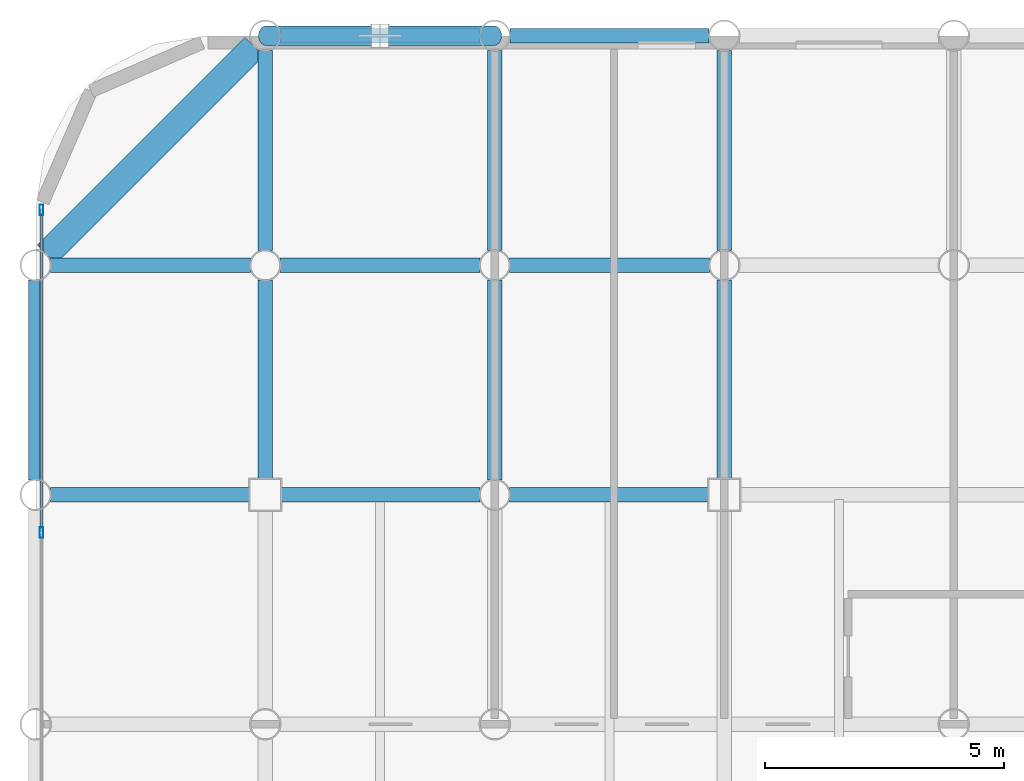
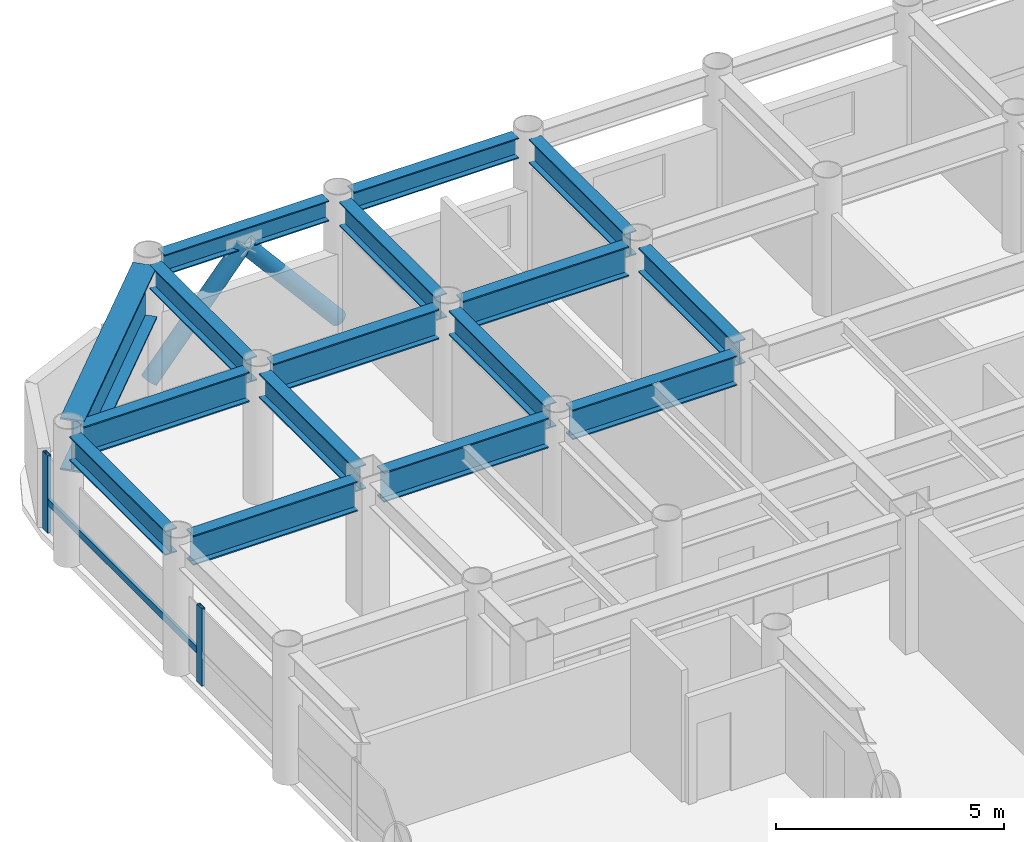
# One storey, part 11 of 22: 16 beams, 5 members, 1 element without a shape of its own.
"""IFC4 building model written with IfcOpenShell, lengths in metres."""

from ifc_helpers import new_model, si_unit, direction, frame, origin, origin_2d, place, context, subcontext, project, spatial, hollow_rectangle, hollow_circle, i_section, extrude, material, layer, layer_set, material_profile, profile_set, type_object, element, aggregate, save


model = new_model("IFC4")

# Units and contexts
model_context = context("Model", 3, precision=1e-05, world=origin(), true_north=direction((0.0, 1.0)))
body_context = subcontext(model_context, "Body", "Model", "MODEL_VIEW")
ifc_project = project(units=[si_unit("LENGTHUNIT", "METRE"), si_unit("AREAUNIT", "SQUARE_METRE"), si_unit("VOLUMEUNIT", "CUBIC_METRE"), si_unit("PLANEANGLEUNIT", "RADIAN"), si_unit("MASSUNIT", "GRAM", prefix="KILO")], contexts=[model_context])

# Site, building, storey
site_placement = place(None, origin())
site = spatial("IfcSite", under=ifc_project, at=site_placement, CompositionType="ELEMENT")
building_placement = place(site_placement, origin())
building = spatial("IfcBuilding", under=site, at=building_placement, Name="Kallvorn Hotel Tower", CompositionType="ELEMENT")
storey_placement = place(building_placement, frame((0.0, 0.0, 106.300048828125)))
storey = spatial("IfcBuildingStorey", under=building, at=storey_placement, Name="L25", CompositionType="ELEMENT", Elevation=106.300048828125)

# Beams
ifc_material_1 = material(Name="Structural steel S355JR", Category="steel")
ifc_material_profile_1 = material_profile(ifc_material_1, i_section(OverallWidth=0.300048828125, OverallDepth=0.550048828125, WebThickness=0.014892578125, FlangeThickness=0.029052734375, at=origin_2d()), Name="HE 550 B")
ifc_profile_set_1 = profile_set([ifc_material_profile_1], Name="Structural steel S355JR")
beam_type_1 = type_object("IfcBeamType", Name="BM_HE550B", PredefinedType="SPANDREL", material=ifc_profile_set_1)
for number, where, z_axis, x_axis, name in (
    (1, (-23.679931640625, 24.0, 3.244873046875), (1.0, 0.0, 0.0), (0.0, 1.0, 0.0), "L26 Perimeter Spandrel 163"),
    (2, (-18.8798828125, 24.0, 3.244873046875), (1.0, 0.0, 0.0), (0.0, 1.0, 0.0), "L26 Perimeter Spandrel 164"),
):
    element("IfcBeam", number, at=place(storey_placement, frame(where, z_axis=z_axis, x_axis=x_axis)), inside=storey, type_object=beam_type_1, Name=name, PredefinedType="SPANDREL", context=body_context, shape_type="SweptSolid", body=[
        extrude(i_section(OverallWidth=0.300048828125, OverallDepth=0.550048828125, WebThickness=0.014892578125, FlangeThickness=0.029052734375, at=origin_2d()), origin(), (0.0, 0.0, 1.0), 4.159912109375),
    ])
ifc_material_2 = material(Name="Structural steel S355JR", Category="steel")
ifc_material_profile_2 = material_profile(ifc_material_2, i_section(OverallWidth=0.300048828125, OverallDepth=0.64990234375, WebThickness=0.01611328125, FlangeThickness=0.031005859375, at=origin_2d()), Name="HE 650 B")
ifc_profile_set_2 = profile_set([ifc_material_profile_2], Name="Structural steel S355JR")
beam_type_2 = type_object("IfcBeamType", Name="BM_HE650B", PredefinedType="BEAM", material=ifc_profile_set_2)
beam_1_placement = place(storey_placement, frame((-28.800048828125, 14.705078125, 3.195068359375), z_axis=(0.0, 1.0, 0.0), x_axis=(-1.0, 0.0, 0.0)))
element("IfcBeam", 3, at=beam_1_placement, inside=storey, type_object=beam_type_2, Name="L26 Primary Y-Girder 80", PredefinedType="BEAM", context=body_context, shape_type="SweptSolid", body=[
    extrude(i_section(OverallWidth=0.300048828125, OverallDepth=0.64990234375, WebThickness=0.01611328125, FlangeThickness=0.031005859375, at=origin_2d()), origin(), (0.0, 0.0, 1.0), 4.18994140625),
])
beam_2_placement = place(storey_placement, frame((-24.0, 14.72509765625, 3.195068359375), z_axis=(0.0, 1.0, 0.0), x_axis=(-1.0, 0.0, 0.0)))
element("IfcBeam", 4, at=beam_2_placement, inside=storey, type_object=beam_type_2, Name="L26 Primary Y-Girder 86", PredefinedType="BEAM", context=body_context, shape_type="SweptSolid", body=[
    extrude(i_section(OverallWidth=0.300048828125, OverallDepth=0.64990234375, WebThickness=0.01611328125, FlangeThickness=0.031005859375, at=origin_2d()), origin(), (0.0, 0.0, 1.0), 4.169921875),
])
beam_3_placement = place(storey_placement, frame((-24.0, 19.5048828125, 3.195068359375), z_axis=(0.0, 1.0, 0.0), x_axis=(-1.0, 0.0, 0.0)))
element("IfcBeam", 5, at=beam_3_placement, inside=storey, type_object=beam_type_2, Name="L26 Primary Y-Girder 87", PredefinedType="BEAM", context=body_context, shape_type="SweptSolid", body=[
    extrude(i_section(OverallWidth=0.300048828125, OverallDepth=0.64990234375, WebThickness=0.01611328125, FlangeThickness=0.031005859375, at=origin_2d()), origin(), (0.0, 0.0, 1.0), 4.190185546875),
])
beam_4_placement = place(storey_placement, frame((-19.199951171875, 14.705078125, 3.195068359375), z_axis=(0.0, 1.0, 0.0), x_axis=(-1.0, 0.0, 0.0)))
element("IfcBeam", 6, at=beam_4_placement, inside=storey, type_object=beam_type_2, Name="L26 Primary Y-Girder 95", PredefinedType="BEAM", context=body_context, shape_type="SweptSolid", body=[
    extrude(i_section(OverallWidth=0.300048828125, OverallDepth=0.64990234375, WebThickness=0.01611328125, FlangeThickness=0.031005859375, at=origin_2d()), origin(), (0.0, 0.0, 1.0), 4.18994140625),
])
beam_5_placement = place(storey_placement, frame((-19.199951171875, 19.5048828125, 3.195068359375), z_axis=(0.0, 1.0, 0.0), x_axis=(-1.0, 0.0, 0.0)))
element("IfcBeam", 7, at=beam_5_placement, inside=storey, type_object=beam_type_2, Name="L26 Primary Y-Girder 96", PredefinedType="BEAM", context=body_context, shape_type="SweptSolid", body=[
    extrude(i_section(OverallWidth=0.300048828125, OverallDepth=0.64990234375, WebThickness=0.01611328125, FlangeThickness=0.031005859375, at=origin_2d()), origin(), (0.0, 0.0, 1.0), 4.190185546875),
])
beam_6_placement = place(storey_placement, frame((-14.39990234375, 14.72509765625, 3.195068359375), z_axis=(0.0, 1.0, 0.0), x_axis=(-1.0, 0.0, 0.0)))
element("IfcBeam", 8, at=beam_6_placement, inside=storey, type_object=beam_type_2, Name="L26 Primary Y-Girder 100", PredefinedType="BEAM", context=body_context, shape_type="SweptSolid", body=[
    extrude(i_section(OverallWidth=0.300048828125, OverallDepth=0.64990234375, WebThickness=0.01611328125, FlangeThickness=0.031005859375, at=origin_2d()), origin(), (0.0, 0.0, 1.0), 4.169921875),
])
beam_7_placement = place(storey_placement, frame((-14.39990234375, 19.5048828125, 3.195068359375), z_axis=(0.0, 1.0, 0.0), x_axis=(-1.0, 0.0, 0.0)))
element("IfcBeam", 9, at=beam_7_placement, inside=storey, type_object=beam_type_2, Name="L26 Primary Y-Girder 101", PredefinedType="BEAM", context=body_context, shape_type="SweptSolid", body=[
    extrude(i_section(OverallWidth=0.300048828125, OverallDepth=0.64990234375, WebThickness=0.01611328125, FlangeThickness=0.031005859375, at=origin_2d()), origin(), (0.0, 0.0, 1.0), 4.190185546875),
])
ifc_material_3 = material(Name="Structural steel S355JR", Category="steel")
ifc_material_profile_3 = material_profile(ifc_material_3, i_section(OverallWidth=0.300048828125, OverallDepth=0.800048828125, WebThickness=0.017578125, FlangeThickness=0.032958984375, at=origin_2d()), Name="HE 800 B")
ifc_profile_set_3 = profile_set([ifc_material_profile_3], Name="Structural steel S355JR")
beam_type_3 = type_object("IfcBeamType", Name="BM_HE800B", PredefinedType="BEAM", material=ifc_profile_set_3)
for number, where, z_axis, x_axis, name in (
    (10, (-28.4951171875, 14.39990234375, 3.119873046875), (1.0, 0.0, 0.0), (0.0, 1.0, 0.0), "L26 Primary X-Girder 50"),
    (11, (-23.675048828125, 14.39990234375, 3.119873046875), (1.0, 0.0, 0.0), (0.0, 1.0, 0.0), "L26 Primary X-Girder 51"),
):
    element("IfcBeam", number, at=place(storey_placement, frame(where, z_axis=z_axis, x_axis=x_axis)), inside=storey, type_object=beam_type_3, Name=name, PredefinedType="BEAM", context=body_context, shape_type="SweptSolid", body=[
        extrude(i_section(OverallWidth=0.300048828125, OverallDepth=0.800048828125, WebThickness=0.017578125, FlangeThickness=0.032958984375, at=origin_2d()), origin(), (0.0, 0.0, 1.0), 4.170166015625),
    ])
beam_8_placement = place(storey_placement, frame((-18.89501953125, 14.39990234375, 3.119873046875), z_axis=(1.0, 0.0, 0.0), x_axis=(0.0, 1.0, 0.0)))
element("IfcBeam", 12, at=beam_8_placement, inside=storey, type_object=beam_type_3, Name="L26 Primary X-Girder 52", PredefinedType="BEAM", context=body_context, shape_type="SweptSolid", body=[
    extrude(i_section(OverallWidth=0.300048828125, OverallDepth=0.800048828125, WebThickness=0.017578125, FlangeThickness=0.032958984375, at=origin_2d()), origin(), (0.0, 0.0, 1.0), 4.169921875),
])
for number, where, z_axis, x_axis, name in (
    (13, (-28.4951171875, 19.199951171875, 3.119873046875), (1.0, 0.0, 0.0), (0.0, 1.0, 0.0), "L26 Primary X-Girder 60"),
    (14, (-23.695068359375, 19.199951171875, 3.119873046875), (1.0, 0.0, 0.0), (0.0, 1.0, 0.0), "L26 Primary X-Girder 61"),
):
    element("IfcBeam", number, at=place(storey_placement, frame(where, z_axis=z_axis, x_axis=x_axis)), inside=storey, type_object=beam_type_3, Name=name, PredefinedType="BEAM", context=body_context, shape_type="SweptSolid", body=[
        extrude(i_section(OverallWidth=0.300048828125, OverallDepth=0.800048828125, WebThickness=0.017578125, FlangeThickness=0.032958984375, at=origin_2d()), origin(), (0.0, 0.0, 1.0), 4.190185546875),
    ])
beam_9_placement = place(storey_placement, frame((-18.89501953125, 19.199951171875, 3.119873046875), z_axis=(1.0, 0.0, 0.0), x_axis=(0.0, 1.0, 0.0)))
element("IfcBeam", 15, at=beam_9_placement, inside=storey, type_object=beam_type_3, Name="L26 Primary X-Girder 62", PredefinedType="BEAM", context=body_context, shape_type="SweptSolid", body=[
    extrude(i_section(OverallWidth=0.300048828125, OverallDepth=0.800048828125, WebThickness=0.017578125, FlangeThickness=0.032958984375, at=origin_2d()), origin(), (0.0, 0.0, 1.0), 4.18994140625),
])
ifc_material_4 = material(Name="Structural steel S355JR", Category="steel")
ifc_material_profile_4 = material_profile(ifc_material_4, i_section(OverallWidth=0.550048828125, OverallDepth=1.39990234375, WebThickness=0.02490234375, FlangeThickness=0.044921875, at=origin_2d()), Name="PG 1400x550x25x45")
ifc_profile_set_4 = profile_set([ifc_material_profile_4], Name="Structural steel S355JR")
beam_type_4 = type_object("IfcBeamType", Name="BM_PG_1400", PredefinedType="BEAM", material=ifc_profile_set_4)
beam_10_placement = place(storey_placement, frame((-28.57373046875, 19.42626953125, 2.820068359375), z_axis=(0.707106781187, 0.707106781187, 0.0), x_axis=(-0.707106781187, 0.707106781187, 0.0)))
element("IfcBeam", 16, at=beam_10_placement, inside=storey, type_object=beam_type_4, Name="L26 Rounded Corner Tie Beam 189", PredefinedType="BEAM", context=body_context, shape_type="SweptSolid", body=[
    extrude(i_section(OverallWidth=0.550048828125, OverallDepth=1.39990234375, WebThickness=0.02490234375, FlangeThickness=0.044921875, at=origin_2d()), origin(), (0.0, 0.0, 1.0), 6.148193359375),
])

# Curtain wall, members
ifc_material_5 = material(Name="Thermally broken black-anodised aluminium AA 6063-T6", Category="aluminium")
ifc_layer = layer(ifc_material_5, 0.199951171875)
ifc_layer_set = layer_set([ifc_layer], Name="CW_SYS_3_HOTEL_LOW")
curtain_wall_type = type_object("IfcCurtainWallType", Name="CW_SYS_3_HOTEL_LOW", PredefinedType="USERDEFINED", material=ifc_layer_set)
curtain_wall_placement = place(storey_placement, origin())
curtain_wall = element("IfcCurtainWall", 17, at=curtain_wall_placement, inside=storey, type_object=curtain_wall_type, Name="L25 Dark-Glass Curtain Wall CW-L25-WN", ObjectType="UNITISED CURTAIN WALL", PredefinedType="USERDEFINED")
ifc_material_6 = material(Name="Thermally broken black-anodised aluminium AA 6063-T6", Category="aluminium")
ifc_material_profile_5 = material_profile(ifc_material_6, hollow_rectangle(XDim=0.080078125, YDim=0.219970703125, WallThickness=0.0048828125, at=origin_2d()), Name="MUL 220x80")
ifc_profile_set_5 = profile_set([ifc_material_profile_5], Name="Thermally broken black-anodised aluminium AA 6063-T6")
member_type_1 = type_object("IfcMemberType", Name="CW_MULLION_220x80", PredefinedType="MULLION", material=ifc_profile_set_5)
member_1_placement = place(storey_placement, frame((-28.679931640625, 13.606689453125, 0.02001953125), z_axis=(0.0, 0.0, 1.0), x_axis=(1.0, 0.0, 0.0)))
member_1 = element("IfcMember", 18, at=member_1_placement, type_object=member_type_1, Name="CW-L25-WN Mullion 02", PredefinedType="MULLION", context=body_context, shape_type="SweptSolid", body=[
    extrude(hollow_rectangle(XDim=0.080078125, YDim=0.219970703125, WallThickness=0.0048828125, at=origin_2d()), origin(), (0.0, 0.0, 1.0), 2.079833984375),
])
member_2_placement = place(storey_placement, frame((-28.679931640625, 20.360107421875, 0.02001953125), z_axis=(0.0, 0.0, 1.0), x_axis=(1.0, 0.0, 0.0)))
member_2 = element("IfcMember", 19, at=member_2_placement, type_object=member_type_1, Name="CW-L25-WN Mullion 03", PredefinedType="MULLION", context=body_context, shape_type="SweptSolid", body=[
    extrude(hollow_rectangle(XDim=0.080078125, YDim=0.219970703125, WallThickness=0.0048828125, at=origin_2d()), origin(), (0.0, 0.0, 1.0), 2.079833984375),
])
ifc_material_7 = material(Name="Thermally broken black-anodised aluminium AA 6063-T6", Category="aluminium")
ifc_material_profile_6 = material_profile(ifc_material_7, hollow_rectangle(XDim=0.070068359375, YDim=0.179931640625, WallThickness=0.00390625, at=origin_2d()), Name="TRN 180x70")
ifc_profile_set_6 = profile_set([ifc_material_profile_6], Name="Thermally broken black-anodised aluminium AA 6063-T6")
member_type_2 = type_object("IfcMemberType", Name="CW_TRANSOM_180x70", PredefinedType="USERDEFINED", material=ifc_profile_set_6)
member_3_placement = place(storey_placement, frame((-28.679931640625, 13.646728515625, 0.849853515625), z_axis=(0.0, 1.0, 0.0), x_axis=(-1.0, 0.0, 0.0)))
member_3 = element("IfcMember", 20, at=member_3_placement, type_object=member_type_2, Name="CW-L25-WN Transom 02M", ObjectType="TRANSOM", PredefinedType="USERDEFINED", context=body_context, shape_type="SweptSolid", body=[
    extrude(hollow_rectangle(XDim=0.070068359375, YDim=0.179931640625, WallThickness=0.00390625, at=origin_2d()), origin(), (0.0, 0.0, 1.0), 6.71337890625),
])
aggregate(curtain_wall, [member_1, member_2, member_3])

# Members
ifc_material_8 = material(Name="Structural steel S355J2H", Category="steel")
ifc_material_profile_7 = material_profile(ifc_material_8, hollow_circle(Radius=0.203125, WallThickness=0.01611328125, at=origin_2d()), Name="CHS 406.4x16")
ifc_profile_set_7 = profile_set([ifc_material_profile_7], Name="Structural steel S355J2H")
member_type_3 = type_object("IfcMemberType", Name="MBR_EXO_CHS406", PredefinedType="BRACE", material=ifc_profile_set_7)
for number, where, z_axis, x_axis, name in (
    (21, (-23.987060546875, 24.0, 0.1953125), (0.646833296797, 0.0, 0.762631422218), (0.0, 1.0, 0.0), "L25 Exoskeleton K-Brace N1A"),
    (22, (-19.212890625, 24.0, 0.1953125), (-0.646833296797, 0.0, 0.762631422218), (0.0, -1.0, 0.0), "L25 Exoskeleton K-Brace N1B"),
):
    element("IfcMember", number, at=place(storey_placement, frame(where, z_axis=z_axis, x_axis=x_axis)), inside=storey, type_object=member_type_3, Name=name, PredefinedType="BRACE", context=body_context, shape_type="SweptSolid", body=[
        extrude(hollow_circle(Radius=0.203125, WallThickness=0.01611328125, at=origin_2d()), origin(), (0.0, 0.0, 1.0), 3.670654296875),
    ])

save(model, "model.ifc")
